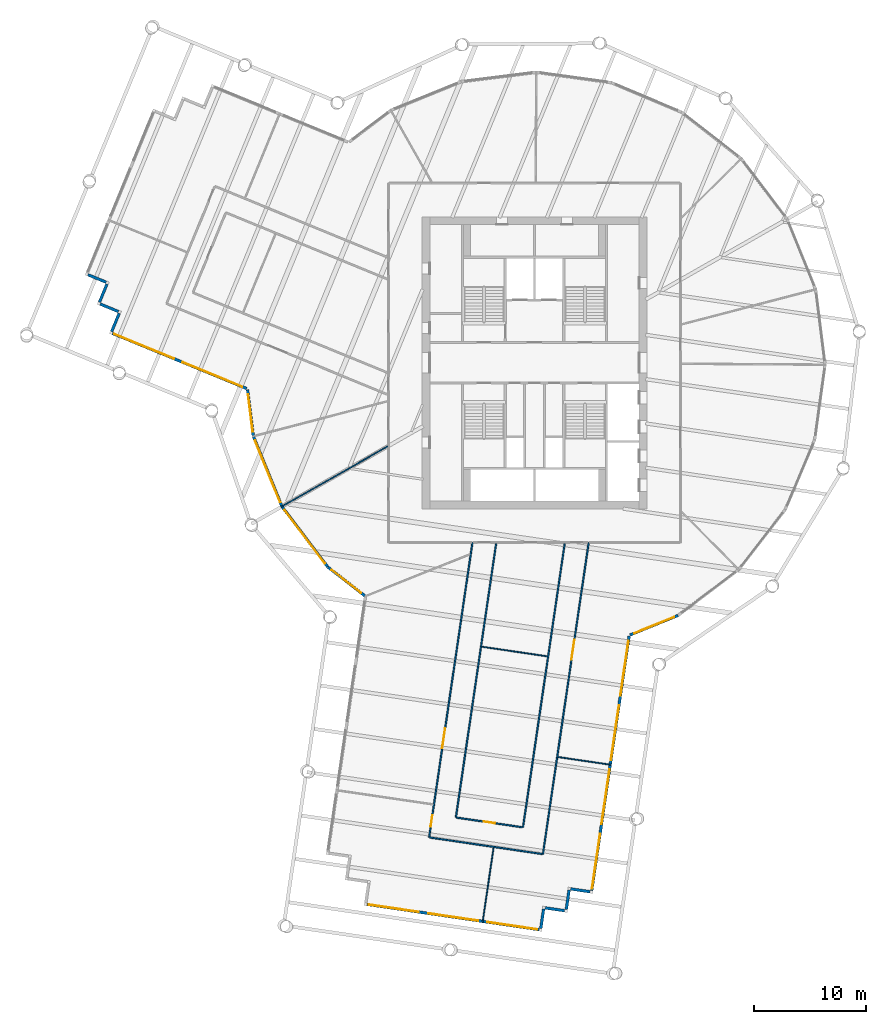
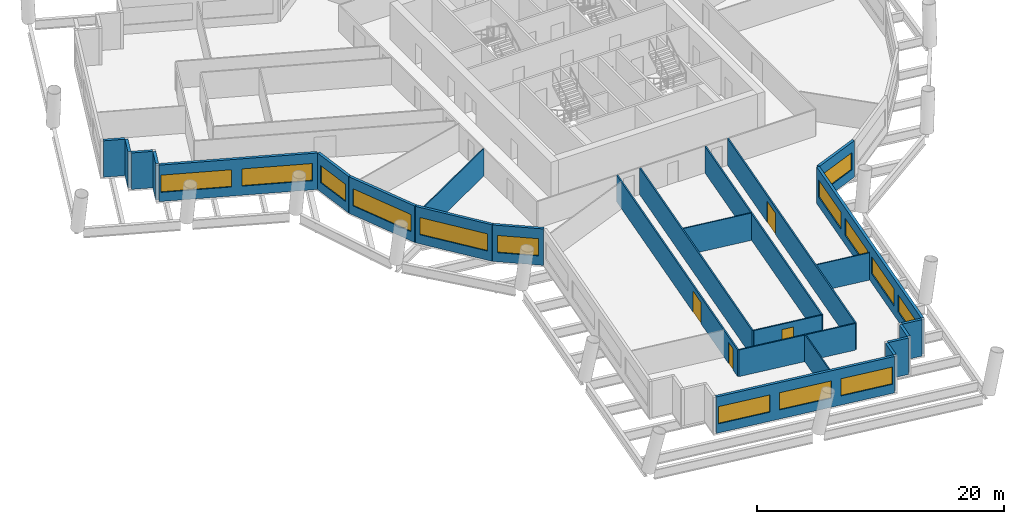
# One storey, part 3 of 11: 26 walls, 14 windows, 4 doors, 18 openings.
"""IFC4 building model written with IfcOpenShell, lengths in metres."""

from ifc_helpers import new_model, si_unit, direction, frame, frame_2d, origin, place, context, subcontext, project, spatial, rectangle, extrude, material, layer, layer_set, type_object, element, fill, save


model = new_model("IFC4")

# Units and contexts
model_context = context("Model", 3, precision=1e-05, world=origin(), true_north=direction((0.0, 1.0)))
body_context = subcontext(model_context, "Body", "Model", "MODEL_VIEW")
ifc_project = project(units=[si_unit("LENGTHUNIT", "METRE"), si_unit("AREAUNIT", "SQUARE_METRE"), si_unit("VOLUMEUNIT", "CUBIC_METRE"), si_unit("PLANEANGLEUNIT", "RADIAN"), si_unit("MASSUNIT", "GRAM", prefix="KILO")], contexts=[model_context])

# Site, building, storey
site_placement = place(None, origin())
site = spatial("IfcSite", under=ifc_project, at=site_placement, CompositionType="ELEMENT")
building_placement = place(site_placement, origin())
building = spatial("IfcBuilding", under=site, at=building_placement, Name="Tarsis Ring Headquarters", CompositionType="ELEMENT")
storey_placement = place(building_placement, frame((0.0, 0.0, 190.5)))
storey = spatial("IfcBuildingStorey", under=building, at=storey_placement, Name="L44", CompositionType="ELEMENT", Elevation=190.5)

# Walls
ifc_material_1 = material(Name="Gypsum board on steel studs", Category="steel")
ifc_layer_1 = layer(ifc_material_1, 0.10009765625)
ifc_layer_set_1 = layer_set([ifc_layer_1], Name="FL partition 100 unrated")
wall_type_1 = type_object("IfcWallType", Name="FL partition 100 unrated", PredefinedType="PARTITIONING", material=ifc_layer_set_1)
wall_1_placement = place(storey_placement, frame((-22.552490234375, -12.83251953125, 0.0), z_axis=(0.0, 0.0, 1.0), x_axis=(0.869143084395, 0.494560713006, 0.0)))
element("IfcWall", 1, at=wall_1_placement, inside=storey, type_object=wall_type_1, Name="Partition PW3", PredefinedType="PARTITIONING", context=body_context, shape_type="SweptSolid", body=[
    extrude(rectangle(XDim=10.90087890625, YDim=0.10009765625, at=frame_2d((5.450439453125, 0.0))), origin(), (0.0, 0.0, 1.0), 2.699951171875),
])
wall_2_placement = place(storey_placement, frame((-4.62060546875, -49.807373046875, 0.0), z_axis=(0.0, 0.0, 1.0), x_axis=(0.145393431065, 0.989373918295, 0.0)))
element("IfcWall", 2, at=wall_2_placement, inside=storey, type_object=wall_type_1, Name="Partition PW3", PredefinedType="PARTITIONING", context=body_context, shape_type="SweptSolid", body=[
    extrude(rectangle(XDim=6.7099609375, YDim=0.10009765625, at=frame_2d((3.35498046875, 0.0))), origin(), (0.0, 0.0, 1.0), 2.699951171875),
])
wall_3_placement = place(storey_placement, frame((-4.69482421875, -25.27587890625, 0.0), z_axis=(0.0, 0.0, 1.0), x_axis=(0.989372095225, -0.145405836161, 0.0)))
element("IfcWall", 3, at=wall_3_placement, inside=storey, type_object=wall_type_1, Name="Partition PW3", PredefinedType="PARTITIONING", context=body_context, shape_type="SweptSolid", body=[
    extrude(rectangle(XDim=5.900146484375, YDim=0.10009765625, at=frame_2d((2.9501953125, 0.0))), origin(), (0.0, 0.0, 1.0), 2.699951171875),
])
wall_4_placement = place(storey_placement, frame((2.089599609375, -35.0966796875, 0.0), z_axis=(0.0, 0.0, 1.0), x_axis=(0.989370377236, -0.145417525245, 0.0)))
element("IfcWall", 4, at=wall_4_placement, inside=storey, type_object=wall_type_1, Name="Partition PW3", PredefinedType="PARTITIONING", context=body_context, shape_type="SweptSolid", body=[
    extrude(rectangle(XDim=4.77978515625, YDim=0.10009765625, at=frame_2d((2.389892578125, 0.0))), origin(), (0.0, 0.0, 1.0), 2.699951171875),
])

# Wall, opening, door
ifc_layer_2 = layer(ifc_material_1, 0.125)
ifc_layer_set_2 = layer_set([ifc_layer_2], Name="FL partition 125 EI 60 H2630")
wall_type_2 = type_object("IfcWallType", Name="FL partition 125 EI 60 H2630", PredefinedType="PARTITIONING", material=ifc_layer_set_2)
wall_5_placement = place(storey_placement, frame((0.748046875, -43.74365234375, 0.0), z_axis=(0.0, 0.0, 1.0), x_axis=(0.145387714409, 0.98937475837, 0.0)))
wall_5 = element("IfcWall", 5, at=wall_5_placement, inside=storey, type_object=wall_type_2, Name="Partition PW1H263", PredefinedType="PARTITIONING", context=body_context, shape_type="SweptSolid", body=[
    extrude(rectangle(XDim=28.04150390625, YDim=0.125, at=frame_2d((14.020751953125, 0.0))), origin(), (0.0, 0.0, 1.0), 2.6298828125),
])
opening_1_placement = place(wall_5_placement, frame((17.49365234375, 0.0, 0.0)))
opening_1 = element("IfcOpeningElement", 6, at=opening_1_placement, cuts=wall_5, Name="Opening D44.09", PredefinedType="OPENING", context=body_context, shape_type="SweptSolid", body=[
    extrude(rectangle(XDim=1.800048828125, YDim=2.10009765625, at=frame_2d((0.89990234375, 1.050048828125))), frame((0.0, 0.072509765625, 0.0), z_axis=(0.0, -1.0, 0.0), x_axis=(1.0, 0.0, 0.0)), (0.0, 0.0, 1.0), 0.14501953125),
])
ifc_material_2 = material(Name="Fire-rated timber door leaf in steel frame", Category="steel")
door_type_1 = type_object("IfcDoorType", Name="FL door FD60-1800", OperationType="DOUBLE_DOOR_SINGLE_SWING", PredefinedType="DOOR", material=ifc_material_2)
door_1_placement = place(opening_1_placement, origin())
door_1 = element("IfcDoor", 7, at=door_1_placement, inside=storey, type_object=door_type_1, Name="Door D44.09", OperationType="DOUBLE_DOOR_SINGLE_SWING", OverallHeight=2.10009765625, OverallWidth=1.800048828125, PredefinedType="DOOR", context=body_context, shape_type="SweptSolid", body=[
    extrude(rectangle(XDim=1.800048828125, YDim=2.10009765625, at=frame_2d((0.89990234375, 1.050048828125))), frame((0.0, 0.02490234375, 0.0), z_axis=(0.0, -1.0, 0.0), x_axis=(1.0, 0.0, 0.0)), (0.0, 0.0, 1.0), 0.050048828125),
])
fill(opening_1, door_1)

# Wall, openings, doors
wall_6_placement = place(storey_placement, frame((-9.38330078125, -42.254638671875, 0.0), z_axis=(0.0, 0.0, 1.0), x_axis=(0.145398903604, 0.989373114063, 0.0)))
wall_6 = element("IfcWall", 8, at=wall_6_placement, inside=storey, type_object=wall_type_2, Name="Partition PW1H263", PredefinedType="PARTITIONING", context=body_context, shape_type="SweptSolid", body=[
    extrude(rectangle(XDim=26.53662109375, YDim=0.125, at=frame_2d((13.268310546875, 0.0))), origin(), (0.0, 0.0, 1.0), 2.6298828125),
])
opening_2_placement = place(wall_6_placement, frame((0.9814453125, 0.0, 0.0)))
opening_2 = element("IfcOpeningElement", 9, at=opening_2_placement, cuts=wall_6, Name="Opening D44.10", PredefinedType="OPENING", context=body_context, shape_type="SweptSolid", body=[
    extrude(rectangle(XDim=1.0, YDim=2.10009765625, at=frame_2d((0.5, 1.050048828125))), frame((0.0, 0.072509765625, 0.0), z_axis=(0.0, -1.0, 0.0), x_axis=(1.0, 0.0, 0.0)), (0.0, 0.0, 1.0), 0.14501953125),
])
opening_3_placement = place(wall_6_placement, frame((8.00830078125, 0.0, 0.0)))
opening_3 = element("IfcOpeningElement", 10, at=opening_3_placement, cuts=wall_6, Name="Opening D44.11", PredefinedType="OPENING", context=body_context, shape_type="SweptSolid", body=[
    extrude(rectangle(XDim=1.800048828125, YDim=2.10009765625, at=frame_2d((0.89990234375, 1.050048828125))), frame((0.0, 0.072509765625, 0.0), z_axis=(0.0, -1.0, 0.0), x_axis=(1.0, 0.0, 0.0)), (0.0, 0.0, 1.0), 0.14501953125),
])
door_type_2 = type_object("IfcDoorType", Name="FL door FD60-1000", OperationType="NOTDEFINED", PredefinedType="DOOR", material=ifc_material_2)
door_2_placement = place(opening_2_placement, origin())
door_2 = element("IfcDoor", 11, at=door_2_placement, inside=storey, type_object=door_type_2, Name="Door D44.10", OperationType="SINGLE_SWING_RIGHT", OverallHeight=2.10009765625, OverallWidth=1.0, PredefinedType="DOOR", context=body_context, shape_type="SweptSolid", body=[
    extrude(rectangle(XDim=1.0, YDim=2.10009765625, at=frame_2d((0.5, 1.050048828125))), frame((0.0, 0.02490234375, 0.0), z_axis=(0.0, -1.0, 0.0), x_axis=(1.0, 0.0, 0.0)), (0.0, 0.0, 1.0), 0.050048828125),
])
fill(opening_2, door_2)
door_3_placement = place(opening_3_placement, origin())
door_3 = element("IfcDoor", 12, at=door_3_placement, inside=storey, type_object=door_type_1, Name="Door D44.11", OperationType="DOUBLE_DOOR_SINGLE_SWING", OverallHeight=2.10009765625, OverallWidth=1.800048828125, PredefinedType="DOOR", context=body_context, shape_type="SweptSolid", body=[
    extrude(rectangle(XDim=1.800048828125, YDim=2.10009765625, at=frame_2d((0.89990234375, 1.050048828125))), frame((0.0, 0.02490234375, 0.0), z_axis=(0.0, -1.0, 0.0), x_axis=(1.0, 0.0, 0.0)), (0.0, 0.0, 1.0), 0.050048828125),
])
fill(opening_3, door_3)

# Walls
wall_7_placement = place(storey_placement, frame((-1.0244140625, -41.360595703125, 0.0), z_axis=(0.0, 0.0, 1.0), x_axis=(0.145398031146, 0.98937324228, 0.0)))
element("IfcWall", 13, at=wall_7_placement, inside=storey, type_object=wall_type_2, Name="Partition PW1H263", PredefinedType="PARTITIONING", context=body_context, shape_type="SweptSolid", body=[
    extrude(rectangle(XDim=25.56298828125, YDim=0.125, at=frame_2d((12.781494140625, 0.0))), origin(), (0.0, 0.0, 1.0), 2.6298828125),
])
wall_8_placement = place(storey_placement, frame((-7.000244140625, -40.482421875, 0.0), z_axis=(0.0, 0.0, 1.0), x_axis=(0.145394294421, 0.989373791421, 0.0)))
element("IfcWall", 14, at=wall_8_placement, inside=storey, type_object=wall_type_2, Name="Partition PW1H263", PredefinedType="PARTITIONING", context=body_context, shape_type="SweptSolid", body=[
    extrude(rectangle(XDim=24.67529296875, YDim=0.125, at=frame_2d((12.337646484375, 0.0))), origin(), (0.0, 0.0, 1.0), 2.6298828125),
])
wall_9_placement = place(storey_placement, frame((-9.323974609375, -42.263427734375, 0.0), z_axis=(0.0, 0.0, 1.0), x_axis=(0.989373633449, -0.145395369375, 0.0)))
element("IfcWall", 15, at=wall_9_placement, inside=storey, type_object=wall_type_2, Name="Partition PW1H263", PredefinedType="PARTITIONING", context=body_context, shape_type="SweptSolid", body=[
    extrude(rectangle(XDim=10.1201171875, YDim=0.125, at=frame_2d((5.06005859375, 0.0))), origin(), (0.0, 0.0, 1.0), 2.6298828125),
])

# Wall, opening, door
wall_10_placement = place(storey_placement, frame((-6.94091796875, -40.4912109375, 0.0), z_axis=(0.0, 0.0, 1.0), x_axis=(0.989377460069, -0.145369327946, 0.0)))
wall_10 = element("IfcWall", 16, at=wall_10_placement, inside=storey, type_object=wall_type_2, Name="Partition PW1H263", PredefinedType="PARTITIONING", context=body_context, shape_type="SweptSolid", body=[
    extrude(rectangle(XDim=5.920166015625, YDim=0.125, at=frame_2d((2.9599609375, 0.0))), origin(), (0.0, 0.0, 1.0), 2.6298828125),
])
opening_4_placement = place(wall_10_placement, frame((2.4599609375, 0.0, 0.0)))
opening_4 = element("IfcOpeningElement", 17, at=opening_4_placement, cuts=wall_10, Name="Opening D44.17", PredefinedType="OPENING", context=body_context, shape_type="SweptSolid", body=[
    extrude(rectangle(XDim=1.0, YDim=2.10009765625, at=frame_2d((0.5, 1.050048828125))), frame((0.0, 0.072509765625, 0.0), z_axis=(0.0, -1.0, 0.0), x_axis=(1.0, 0.0, 0.0)), (0.0, 0.0, 1.0), 0.14501953125),
])
door_4_placement = place(opening_4_placement, origin())
door_4 = element("IfcDoor", 18, at=door_4_placement, inside=storey, type_object=door_type_2, Name="Door D44.17", OperationType="SINGLE_SWING_LEFT", OverallHeight=2.10009765625, OverallWidth=1.0, PredefinedType="DOOR", context=body_context, shape_type="SweptSolid", body=[
    extrude(rectangle(XDim=1.0, YDim=2.10009765625, at=frame_2d((0.5, 1.050048828125))), frame((0.0, 0.02490234375, 0.0), z_axis=(0.0, -1.0, 0.0), x_axis=(1.0, 0.0, 0.0)), (0.0, 0.0, 1.0), 0.050048828125),
])
fill(opening_4, door_4)

# Wall, openings, windows
ifc_material_3 = material(Name="Terracotta clad insulated panel wall", Category="masonry")
ifc_layer_3 = layer(ifc_material_3, 0.25)
ifc_layer_set_3 = layer_set([ifc_layer_3], Name="Facade wall terracotta panel 250")
wall_type_3 = type_object("IfcWallType", Name="Facade wall terracotta panel 250", PredefinedType="STANDARD", material=ifc_layer_set_3)
wall_11_placement = place(storey_placement, frame((-37.57958984375, 2.6181640625, 0.0), z_axis=(0.0, 0.0, 1.0), x_axis=(0.924807559028, -0.380435249108, 0.0)))
wall_11 = element("IfcWall", 19, at=wall_11_placement, inside=storey, type_object=wall_type_3, Name="External wall L44-01", PredefinedType="STANDARD", context=body_context, shape_type="SweptSolid", body=[
    extrude(rectangle(XDim=12.922119140625, YDim=0.25, at=frame_2d((6.4609375, 0.0))), origin(), (0.0, 0.0, 1.0), 3.60009765625),
])
opening_5_placement = place(wall_11_placement, frame((0.16796875, 0.0, 0.89990234375)))
opening_5 = element("IfcOpeningElement", 20, at=opening_5_placement, cuts=wall_11, Name="Opening WN06", PredefinedType="OPENING", context=body_context, shape_type="SweptSolid", body=[
    extrude(rectangle(XDim=5.75, YDim=1.699951171875, at=frame_2d((2.875, 0.85009765625))), frame((0.0, 0.135009765625, 0.0), z_axis=(0.0, -1.0, 0.0), x_axis=(1.0, 0.0, 0.0)), (0.0, 0.0, 1.0), 0.27001953125),
])
opening_6_placement = place(wall_11_placement, frame((6.75390625, 0.0, 0.89990234375)))
opening_6 = element("IfcOpeningElement", 21, at=opening_6_placement, cuts=wall_11, Name="Opening WN06", PredefinedType="OPENING", context=body_context, shape_type="SweptSolid", body=[
    extrude(rectangle(XDim=5.75, YDim=1.699951171875, at=frame_2d((2.875, 0.85009765625))), frame((0.0, 0.135009765625, 0.0), z_axis=(0.0, -1.0, 0.0), x_axis=(1.0, 0.0, 0.0)), (0.0, 0.0, 1.0), 0.27001953125),
])
ifc_material_4 = material(Name="Aluminium framed double glazing", Category="aluminium")
window_type_1 = type_object("IfcWindowType", Name="Facade window 5750 x 1700", PartitioningType="SINGLE_PANEL", PredefinedType="WINDOW", material=ifc_material_4)
window_1_placement = place(opening_5_placement, origin())
window_1 = element("IfcWindow", 22, at=window_1_placement, inside=storey, type_object=window_type_1, Name="Window L44-01.1", OverallHeight=1.699951171875, OverallWidth=5.75, PartitioningType="SINGLE_PANEL", PredefinedType="WINDOW", context=body_context, shape_type="SweptSolid", body=[
    extrude(rectangle(XDim=5.75, YDim=1.699951171875, at=frame_2d((2.875, 0.85009765625))), frame((0.0, 0.030029296875, 0.0), z_axis=(0.0, -1.0, 0.0), x_axis=(1.0, 0.0, 0.0)), (0.0, 0.0, 1.0), 0.06005859375),
])
fill(opening_5, window_1)
window_2_placement = place(opening_6_placement, origin())
window_2 = element("IfcWindow", 23, at=window_2_placement, inside=storey, type_object=window_type_1, Name="Window L44-01.2", OverallHeight=1.699951171875, OverallWidth=5.75, PartitioningType="SINGLE_PANEL", PredefinedType="WINDOW", context=body_context, shape_type="SweptSolid", body=[
    extrude(rectangle(XDim=5.75, YDim=1.699951171875, at=frame_2d((2.875, 0.85009765625))), frame((0.0, 0.030029296875, 0.0), z_axis=(0.0, -1.0, 0.0), x_axis=(1.0, 0.0, 0.0)), (0.0, 0.0, 1.0), 0.06005859375),
])
fill(opening_6, window_2)

# Wall, opening, window
wall_12_placement = place(storey_placement, frame((-25.552734375, -2.39794921875, 0.0), z_axis=(0.0, 0.0, 1.0), x_axis=(0.124316600005, -0.992242602876, 0.0)))
wall_12 = element("IfcWall", 24, at=wall_12_placement, inside=storey, type_object=wall_type_3, Name="External wall L44-02", PredefinedType="STANDARD", context=body_context, shape_type="SweptSolid", body=[
    extrude(rectangle(XDim=4.157470703125, YDim=0.25, at=frame_2d((2.07861328125, 0.0))), origin(), (0.0, 0.0, 1.0), 3.60009765625),
])
opening_7_placement = place(wall_12_placement, frame((0.420166015625, 0.0, 0.89990234375)))
opening_7 = element("IfcOpeningElement", 25, at=opening_7_placement, cuts=wall_12, Name="Opening WN01", PredefinedType="OPENING", context=body_context, shape_type="SweptSolid", body=[
    extrude(rectangle(XDim=3.35009765625, YDim=1.699951171875, at=frame_2d((1.675048828125, 0.85009765625))), frame((0.0, 0.135009765625, 0.0), z_axis=(0.0, -1.0, 0.0), x_axis=(1.0, 0.0, 0.0)), (0.0, 0.0, 1.0), 0.27001953125),
])
window_type_2 = type_object("IfcWindowType", Name="Facade window 3350 x 1700", PartitioningType="SINGLE_PANEL", PredefinedType="WINDOW", material=ifc_material_4)
window_3_placement = place(opening_7_placement, origin())
window_3 = element("IfcWindow", 26, at=window_3_placement, inside=storey, type_object=window_type_2, Name="Window L44-02.1", OverallHeight=1.699951171875, OverallWidth=3.35009765625, PartitioningType="SINGLE_PANEL", PredefinedType="WINDOW", context=body_context, shape_type="SweptSolid", body=[
    extrude(rectangle(XDim=3.35009765625, YDim=1.699951171875, at=frame_2d((1.675048828125, 0.85009765625))), frame((0.0, 0.030029296875, 0.0), z_axis=(0.0, -1.0, 0.0), x_axis=(1.0, 0.0, 0.0)), (0.0, 0.0, 1.0), 0.06005859375),
])
fill(opening_7, window_3)

wall_13_placement = place(storey_placement, frame((-25.027587890625, -6.5546875, 0.0), z_axis=(0.0, 0.0, 1.0), x_axis=(0.376838801748, -0.92627885515, 0.0)))
wall_13 = element("IfcWall", 27, at=wall_13_placement, inside=storey, type_object=wall_type_3, Name="External wall L44-03", PredefinedType="STANDARD", context=body_context, shape_type="SweptSolid", body=[
    extrude(rectangle(XDim=6.7216796875, YDim=0.25, at=frame_2d((3.36083984375, 0.0))), origin(), (0.0, 0.0, 1.0), 3.60009765625),
])
opening_8_placement = place(wall_13_placement, frame((0.3857421875, 0.0, 0.89990234375)))
opening_8 = element("IfcOpeningElement", 28, at=opening_8_placement, cuts=wall_13, Name="Opening WN07", PredefinedType="OPENING", context=body_context, shape_type="SweptSolid", body=[
    extrude(rectangle(XDim=5.949951171875, YDim=1.699951171875, at=frame_2d((2.97509765625, 0.85009765625))), frame((0.0, 0.135009765625, 0.0), z_axis=(0.0, -1.0, 0.0), x_axis=(1.0, 0.0, 0.0)), (0.0, 0.0, 1.0), 0.27001953125),
])
window_type_3 = type_object("IfcWindowType", Name="Facade window 5950 x 1700", PartitioningType="SINGLE_PANEL", PredefinedType="WINDOW", material=ifc_material_4)
window_4_placement = place(opening_8_placement, origin())
window_4 = element("IfcWindow", 29, at=window_4_placement, inside=storey, type_object=window_type_3, Name="Window L44-03.1", OverallHeight=1.699951171875, OverallWidth=5.949951171875, PartitioningType="SINGLE_PANEL", PredefinedType="WINDOW", context=body_context, shape_type="SweptSolid", body=[
    extrude(rectangle(XDim=5.949951171875, YDim=1.699951171875, at=frame_2d((2.97509765625, 0.85009765625))), frame((0.0, 0.030029296875, 0.0), z_axis=(0.0, -1.0, 0.0), x_axis=(1.0, 0.0, 0.0)), (0.0, 0.0, 1.0), 0.06005859375),
])
fill(opening_8, window_4)

wall_14_placement = place(storey_placement, frame((-22.478271484375, -12.80908203125, 0.0), z_axis=(0.0, 0.0, 1.0), x_axis=(0.603753483305, -0.797171080382, 0.0)))
wall_14 = element("IfcWall", 30, at=wall_14_placement, inside=storey, type_object=wall_type_3, Name="External wall L44-04", PredefinedType="STANDARD", context=body_context, shape_type="SweptSolid", body=[
    extrude(rectangle(XDim=6.721435546875, YDim=0.25, at=frame_2d((3.36083984375, 0.0))), origin(), (0.0, 0.0, 1.0), 3.60009765625),
])
opening_9_placement = place(wall_14_placement, frame((0.3857421875, 0.0, 0.89990234375)))
opening_9 = element("IfcOpeningElement", 31, at=opening_9_placement, cuts=wall_14, Name="Opening WN07", PredefinedType="OPENING", context=body_context, shape_type="SweptSolid", body=[
    extrude(rectangle(XDim=5.949951171875, YDim=1.699951171875, at=frame_2d((2.97509765625, 0.85009765625))), frame((0.0, 0.135009765625, 0.0), z_axis=(0.0, -1.0, 0.0), x_axis=(1.0, 0.0, 0.0)), (0.0, 0.0, 1.0), 0.27001953125),
])
window_5_placement = place(opening_9_placement, origin())
window_5 = element("IfcWindow", 32, at=window_5_placement, inside=storey, type_object=window_type_3, Name="Window L44-04.1", OverallHeight=1.699951171875, OverallWidth=5.949951171875, PartitioningType="SINGLE_PANEL", PredefinedType="WINDOW", context=body_context, shape_type="SweptSolid", body=[
    extrude(rectangle(XDim=5.949951171875, YDim=1.699951171875, at=frame_2d((2.97509765625, 0.85009765625))), frame((0.0, 0.030029296875, 0.0), z_axis=(0.0, -1.0, 0.0), x_axis=(1.0, 0.0, 0.0)), (0.0, 0.0, 1.0), 0.06005859375),
])
fill(opening_9, window_5)

wall_15_placement = place(storey_placement, frame((-18.397216796875, -18.1904296875, 0.0), z_axis=(0.0, 0.0, 1.0), x_axis=(0.789529256644, -0.613712923852, 0.0)))
wall_15 = element("IfcWall", 33, at=wall_15_placement, inside=storey, type_object=wall_type_3, Name="External wall L44-05", PredefinedType="STANDARD", context=body_context, shape_type="SweptSolid", body=[
    extrude(rectangle(XDim=4.157470703125, YDim=0.25, at=frame_2d((2.07861328125, 0.0))), origin(), (0.0, 0.0, 1.0), 3.60009765625),
])
opening_10_placement = place(wall_15_placement, frame((0.38720703125, 0.0, 0.89990234375)))
opening_10 = element("IfcOpeningElement", 34, at=opening_10_placement, cuts=wall_15, Name="Opening WN01", PredefinedType="OPENING", context=body_context, shape_type="SweptSolid", body=[
    extrude(rectangle(XDim=3.35009765625, YDim=1.699951171875, at=frame_2d((1.675048828125, 0.85009765625))), frame((0.0, 0.135009765625, 0.0), z_axis=(0.0, -1.0, 0.0), x_axis=(1.0, 0.0, 0.0)), (0.0, 0.0, 1.0), 0.27001953125),
])
window_6_placement = place(opening_10_placement, origin())
window_6 = element("IfcWindow", 35, at=window_6_placement, inside=storey, type_object=window_type_2, Name="Window L44-05.1", OverallHeight=1.699951171875, OverallWidth=3.35009765625, PartitioningType="SINGLE_PANEL", PredefinedType="WINDOW", context=body_context, shape_type="SweptSolid", body=[
    extrude(rectangle(XDim=3.35009765625, YDim=1.699951171875, at=frame_2d((1.675048828125, 0.85009765625))), frame((0.0, 0.030029296875, 0.0), z_axis=(0.0, -1.0, 0.0), x_axis=(1.0, 0.0, 0.0)), (0.0, 0.0, 1.0), 0.06005859375),
])
fill(opening_10, window_6)

# Wall, openings, windows
wall_16_placement = place(storey_placement, frame((-14.919189453125, -48.21826171875, 0.0), z_axis=(0.0, 0.0, 1.0), x_axis=(0.989373534337, -0.145396043803, 0.0)))
wall_16 = element("IfcWall", 36, at=wall_16_placement, inside=storey, type_object=wall_type_3, Name="External wall L44-11", PredefinedType="STANDARD", context=body_context, shape_type="SweptSolid", body=[
    extrude(rectangle(XDim=15.500244140625, YDim=0.25, at=frame_2d((7.75, 0.0))), origin(), (0.0, 0.0, 1.0), 3.60009765625),
])
opening_11_placement = place(wall_16_placement, frame((0.166748046875, 0.0, 0.89990234375)))
opening_11 = element("IfcOpeningElement", 37, at=opening_11_placement, cuts=wall_16, Name="Opening WN04", PredefinedType="OPENING", context=body_context, shape_type="SweptSolid", body=[
    extrude(rectangle(XDim=4.5, YDim=1.699951171875, at=frame_2d((2.25, 0.85009765625))), frame((0.0, 0.135009765625, 0.0), z_axis=(0.0, -1.0, 0.0), x_axis=(1.0, 0.0, 0.0)), (0.0, 0.0, 1.0), 0.27001953125),
])
opening_12_placement = place(wall_16_placement, frame((5.5, 0.0, 0.89990234375)))
opening_12 = element("IfcOpeningElement", 38, at=opening_12_placement, cuts=wall_16, Name="Opening WN04", PredefinedType="OPENING", context=body_context, shape_type="SweptSolid", body=[
    extrude(rectangle(XDim=4.5, YDim=1.699951171875, at=frame_2d((2.25, 0.85009765625))), frame((0.0, 0.135009765625, 0.0), z_axis=(0.0, -1.0, 0.0), x_axis=(1.0, 0.0, 0.0)), (0.0, 0.0, 1.0), 0.27001953125),
])
opening_13_placement = place(wall_16_placement, frame((10.833251953125, 0.0, 0.89990234375)))
opening_13 = element("IfcOpeningElement", 39, at=opening_13_placement, cuts=wall_16, Name="Opening WN04", PredefinedType="OPENING", context=body_context, shape_type="SweptSolid", body=[
    extrude(rectangle(XDim=4.5, YDim=1.699951171875, at=frame_2d((2.25, 0.85009765625))), frame((0.0, 0.135009765625, 0.0), z_axis=(0.0, -1.0, 0.0), x_axis=(1.0, 0.0, 0.0)), (0.0, 0.0, 1.0), 0.27001953125),
])
window_type_4 = type_object("IfcWindowType", Name="Facade window 4500 x 1700", PartitioningType="SINGLE_PANEL", PredefinedType="WINDOW", material=ifc_material_4)
window_7_placement = place(opening_11_placement, origin())
window_7 = element("IfcWindow", 40, at=window_7_placement, inside=storey, type_object=window_type_4, Name="Window L44-11.1", OverallHeight=1.699951171875, OverallWidth=4.5, PartitioningType="SINGLE_PANEL", PredefinedType="WINDOW", context=body_context, shape_type="SweptSolid", body=[
    extrude(rectangle(XDim=4.5, YDim=1.699951171875, at=frame_2d((2.25, 0.85009765625))), frame((0.0, 0.030029296875, 0.0), z_axis=(0.0, -1.0, 0.0), x_axis=(1.0, 0.0, 0.0)), (0.0, 0.0, 1.0), 0.06005859375),
])
fill(opening_11, window_7)
window_8_placement = place(opening_12_placement, origin())
window_8 = element("IfcWindow", 41, at=window_8_placement, inside=storey, type_object=window_type_4, Name="Window L44-11.2", OverallHeight=1.699951171875, OverallWidth=4.5, PartitioningType="SINGLE_PANEL", PredefinedType="WINDOW", context=body_context, shape_type="SweptSolid", body=[
    extrude(rectangle(XDim=4.5, YDim=1.699951171875, at=frame_2d((2.25, 0.85009765625))), frame((0.0, 0.030029296875, 0.0), z_axis=(0.0, -1.0, 0.0), x_axis=(1.0, 0.0, 0.0)), (0.0, 0.0, 1.0), 0.06005859375),
])
fill(opening_12, window_8)
window_9_placement = place(opening_13_placement, origin())
window_9 = element("IfcWindow", 42, at=window_9_placement, inside=storey, type_object=window_type_4, Name="Window L44-11.3", OverallHeight=1.699951171875, OverallWidth=4.5, PartitioningType="SINGLE_PANEL", PredefinedType="WINDOW", context=body_context, shape_type="SweptSolid", body=[
    extrude(rectangle(XDim=4.5, YDim=1.699951171875, at=frame_2d((2.25, 0.85009765625))), frame((0.0, 0.030029296875, 0.0), z_axis=(0.0, -1.0, 0.0), x_axis=(1.0, 0.0, 0.0)), (0.0, 0.0, 1.0), 0.06005859375),
])
fill(opening_13, window_9)

# Walls
wall_17_placement = place(storey_placement, frame((0.55810546875, -50.3662109375, 0.0), z_axis=(0.0, 0.0, 1.0), x_axis=(0.145385535448, 0.989375078563, 0.0)))
element("IfcWall", 43, at=wall_17_placement, inside=storey, type_object=wall_type_3, Name="External wall L44-12", PredefinedType="STANDARD", context=body_context, shape_type="SweptSolid", body=[
    extrude(rectangle(XDim=1.749755859375, YDim=0.25, at=frame_2d((0.875, 0.0))), origin(), (0.0, 0.0, 1.0), 3.60009765625),
])
for number, where, z_axis, x_axis, name in (
    (44, (0.954345703125, -48.529541015625, 0.0), (0.0, 0.0, 1.0), (0.989378027096, -0.14536546873, 0.0), "External wall L44-13"),
    (45, (2.82763671875, -48.678466796875, 0.0), (0.0, 0.0, 1.0), (0.14536546873, 0.989378027096, 0.0), "External wall L44-14"),
    (46, (3.223876953125, -46.841552734375, 0.0), (0.0, 0.0, 1.0), (0.989378027096, -0.14536546873, 0.0), "External wall L44-15"),
):
    element("IfcWall", number, at=place(storey_placement, frame(where, z_axis=z_axis, x_axis=x_axis)), inside=storey, type_object=wall_type_3, Name=name, PredefinedType="STANDARD", context=body_context, shape_type="SweptSolid", body=[
        extrude(rectangle(XDim=1.75, YDim=0.25, at=frame_2d((0.875, 0.0))), origin(), (0.0, 0.0, 1.0), 3.60009765625),
    ])

# Wall, openings, windows
wall_18_placement = place(storey_placement, frame((5.09716796875, -46.990478515625, 0.0), z_axis=(0.0, 0.0, 1.0), x_axis=(0.145388720024, 0.989374610595, 0.0)))
wall_18 = element("IfcWall", 47, at=wall_18_placement, inside=storey, type_object=wall_type_3, Name="External wall L44-16", PredefinedType="STANDARD", context=body_context, shape_type="SweptSolid", body=[
    extrude(rectangle(XDim=22.9013671875, YDim=0.25, at=frame_2d((11.45068359375, 0.0))), origin(), (0.0, 0.0, 1.0), 3.60009765625),
])
opening_14_placement = place(wall_18_placement, frame((0.1689453125, 0.0, 0.89990234375)))
opening_14 = element("IfcOpeningElement", 48, at=opening_14_placement, cuts=wall_18, Name="Opening WN05", PredefinedType="OPENING", context=body_context, shape_type="SweptSolid", body=[
    extrude(rectangle(XDim=4.949951171875, YDim=1.699951171875, at=frame_2d((2.47509765625, 0.85009765625))), frame((0.0, 0.135009765625, 0.0), z_axis=(0.0, -1.0, 0.0), x_axis=(1.0, 0.0, 0.0)), (0.0, 0.0, 1.0), 0.27001953125),
])
opening_15_placement = place(wall_18_placement, frame((5.956787109375, 0.0, 0.89990234375)))
opening_15 = element("IfcOpeningElement", 49, at=opening_15_placement, cuts=wall_18, Name="Opening WN05", PredefinedType="OPENING", context=body_context, shape_type="SweptSolid", body=[
    extrude(rectangle(XDim=4.949951171875, YDim=1.699951171875, at=frame_2d((2.47509765625, 0.85009765625))), frame((0.0, 0.135009765625, 0.0), z_axis=(0.0, -1.0, 0.0), x_axis=(1.0, 0.0, 0.0)), (0.0, 0.0, 1.0), 0.27001953125),
])
opening_16_placement = place(wall_18_placement, frame((11.74462890625, 0.0, 0.89990234375)))
opening_16 = element("IfcOpeningElement", 50, at=opening_16_placement, cuts=wall_18, Name="Opening WN05", PredefinedType="OPENING", context=body_context, shape_type="SweptSolid", body=[
    extrude(rectangle(XDim=4.949951171875, YDim=1.699951171875, at=frame_2d((2.47509765625, 0.85009765625))), frame((0.0, 0.135009765625, 0.0), z_axis=(0.0, -1.0, 0.0), x_axis=(1.0, 0.0, 0.0)), (0.0, 0.0, 1.0), 0.27001953125),
])
opening_17_placement = place(wall_18_placement, frame((17.532470703125, 0.0, 0.89990234375)))
opening_17 = element("IfcOpeningElement", 51, at=opening_17_placement, cuts=wall_18, Name="Opening WN05", PredefinedType="OPENING", context=body_context, shape_type="SweptSolid", body=[
    extrude(rectangle(XDim=4.949951171875, YDim=1.699951171875, at=frame_2d((2.47509765625, 0.85009765625))), frame((0.0, 0.135009765625, 0.0), z_axis=(0.0, -1.0, 0.0), x_axis=(1.0, 0.0, 0.0)), (0.0, 0.0, 1.0), 0.27001953125),
])
window_type_5 = type_object("IfcWindowType", Name="Facade window 4950 x 1700", PartitioningType="SINGLE_PANEL", PredefinedType="WINDOW", material=ifc_material_4)
window_10_placement = place(opening_14_placement, origin())
window_10 = element("IfcWindow", 52, at=window_10_placement, inside=storey, type_object=window_type_5, Name="Window L44-16.1", OverallHeight=1.699951171875, OverallWidth=4.949951171875, PartitioningType="SINGLE_PANEL", PredefinedType="WINDOW", context=body_context, shape_type="SweptSolid", body=[
    extrude(rectangle(XDim=4.949951171875, YDim=1.699951171875, at=frame_2d((2.47509765625, 0.85009765625))), frame((0.0, 0.030029296875, 0.0), z_axis=(0.0, -1.0, 0.0), x_axis=(1.0, 0.0, 0.0)), (0.0, 0.0, 1.0), 0.06005859375),
])
fill(opening_14, window_10)
window_11_placement = place(opening_15_placement, origin())
window_11 = element("IfcWindow", 53, at=window_11_placement, inside=storey, type_object=window_type_5, Name="Window L44-16.2", OverallHeight=1.699951171875, OverallWidth=4.949951171875, PartitioningType="SINGLE_PANEL", PredefinedType="WINDOW", context=body_context, shape_type="SweptSolid", body=[
    extrude(rectangle(XDim=4.949951171875, YDim=1.699951171875, at=frame_2d((2.47509765625, 0.85009765625))), frame((0.0, 0.030029296875, 0.0), z_axis=(0.0, -1.0, 0.0), x_axis=(1.0, 0.0, 0.0)), (0.0, 0.0, 1.0), 0.06005859375),
])
fill(opening_15, window_11)
window_12_placement = place(opening_16_placement, origin())
window_12 = element("IfcWindow", 54, at=window_12_placement, inside=storey, type_object=window_type_5, Name="Window L44-16.3", OverallHeight=1.699951171875, OverallWidth=4.949951171875, PartitioningType="SINGLE_PANEL", PredefinedType="WINDOW", context=body_context, shape_type="SweptSolid", body=[
    extrude(rectangle(XDim=4.949951171875, YDim=1.699951171875, at=frame_2d((2.47509765625, 0.85009765625))), frame((0.0, 0.030029296875, 0.0), z_axis=(0.0, -1.0, 0.0), x_axis=(1.0, 0.0, 0.0)), (0.0, 0.0, 1.0), 0.06005859375),
])
fill(opening_16, window_12)
window_13_placement = place(opening_17_placement, origin())
window_13 = element("IfcWindow", 55, at=window_13_placement, inside=storey, type_object=window_type_5, Name="Window L44-16.4", OverallHeight=1.699951171875, OverallWidth=4.949951171875, PartitioningType="SINGLE_PANEL", PredefinedType="WINDOW", context=body_context, shape_type="SweptSolid", body=[
    extrude(rectangle(XDim=4.949951171875, YDim=1.699951171875, at=frame_2d((2.47509765625, 0.85009765625))), frame((0.0, 0.030029296875, 0.0), z_axis=(0.0, -1.0, 0.0), x_axis=(1.0, 0.0, 0.0)), (0.0, 0.0, 1.0), 0.06005859375),
])
fill(opening_17, window_13)

# Wall, opening, window
wall_19_placement = place(storey_placement, frame((8.50341796875, -24.23486328125, 0.0), z_axis=(0.0, 0.0, 1.0), x_axis=(0.926272880587, 0.376853487033, 0.0)))
wall_19 = element("IfcWall", 56, at=wall_19_placement, inside=storey, type_object=wall_type_3, Name="External wall L44-17", PredefinedType="STANDARD", context=body_context, shape_type="SweptSolid", body=[
    extrude(rectangle(XDim=4.617919921875, YDim=0.25, at=frame_2d((2.30908203125, 0.0))), origin(), (0.0, 0.0, 1.0), 3.60009765625),
])
opening_18_placement = place(wall_19_placement, frame((0.400390625, 0.0, 0.89990234375)))
opening_18 = element("IfcOpeningElement", 57, at=opening_18_placement, cuts=wall_19, Name="Opening WN02", PredefinedType="OPENING", context=body_context, shape_type="SweptSolid", body=[
    extrude(rectangle(XDim=3.85009765625, YDim=1.699951171875, at=frame_2d((1.925048828125, 0.85009765625))), frame((0.0, 0.135009765625, 0.0), z_axis=(0.0, -1.0, 0.0), x_axis=(1.0, 0.0, 0.0)), (0.0, 0.0, 1.0), 0.27001953125),
])
window_type_6 = type_object("IfcWindowType", Name="Facade window 3850 x 1700", PartitioningType="SINGLE_PANEL", PredefinedType="WINDOW", material=ifc_material_4)
window_14_placement = place(opening_18_placement, origin())
window_14 = element("IfcWindow", 58, at=window_14_placement, inside=storey, type_object=window_type_6, Name="Window L44-17.1", OverallHeight=1.699951171875, OverallWidth=3.85009765625, PartitioningType="SINGLE_PANEL", PredefinedType="WINDOW", context=body_context, shape_type="SweptSolid", body=[
    extrude(rectangle(XDim=3.85009765625, YDim=1.699951171875, at=frame_2d((1.925048828125, 0.85009765625))), frame((0.0, 0.030029296875, 0.0), z_axis=(0.0, -1.0, 0.0), x_axis=(1.0, 0.0, 0.0)), (0.0, 0.0, 1.0), 0.06005859375),
])
fill(opening_18, window_14)

# Walls
for number, where, z_axis, x_axis, name in (
    (59, (-39.757080078125, 7.839111328125, 0.0), (0.0, 0.0, 1.0), (0.92480517348, -0.380441048134, 0.0), "External wall L44-37"),
    (60, (-38.070556640625, 7.010009765625, 0.0), (0.0, 0.0, 1.0), (-0.380441048134, -0.92480517348, 0.0), "External wall L44-38"),
):
    element("IfcWall", number, at=place(storey_placement, frame(where, z_axis=z_axis, x_axis=x_axis)), inside=storey, type_object=wall_type_3, Name=name, PredefinedType="STANDARD", context=body_context, shape_type="SweptSolid", body=[
        extrude(rectangle(XDim=1.75, YDim=0.25, at=frame_2d((0.875, 0.0))), origin(), (0.0, 0.0, 1.0), 3.60009765625),
    ])
wall_20_placement = place(storey_placement, frame((-38.66845703125, 5.228515625, 0.0), z_axis=(0.0, 0.0, 1.0), x_axis=(0.924825361463, -0.380391969941, 0.0)))
element("IfcWall", 61, at=wall_20_placement, inside=storey, type_object=wall_type_3, Name="External wall L44-39", PredefinedType="STANDARD", context=body_context, shape_type="SweptSolid", body=[
    extrude(rectangle(XDim=1.750244140625, YDim=0.25, at=frame_2d((0.875, 0.0))), origin(), (0.0, 0.0, 1.0), 3.60009765625),
])
wall_21_placement = place(storey_placement, frame((-36.98193359375, 4.399658203125, 0.0), z_axis=(0.0, 0.0, 1.0), x_axis=(-0.380441048134, -0.92480517348, 0.0)))
element("IfcWall", 62, at=wall_21_placement, inside=storey, type_object=wall_type_3, Name="External wall L44-40", PredefinedType="STANDARD", context=body_context, shape_type="SweptSolid", body=[
    extrude(rectangle(XDim=1.75, YDim=0.25, at=frame_2d((0.875, 0.0))), origin(), (0.0, 0.0, 1.0), 3.60009765625),
])

save(model, "model.ifc")
